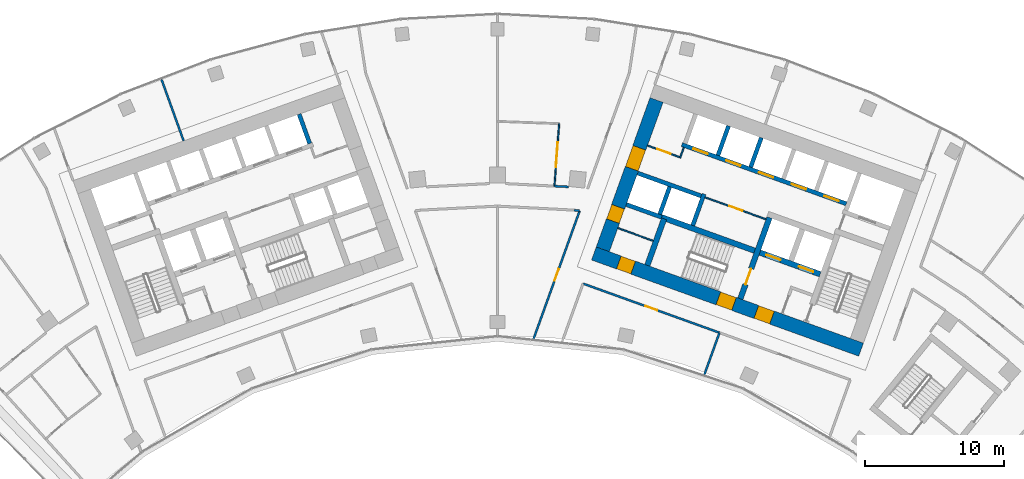
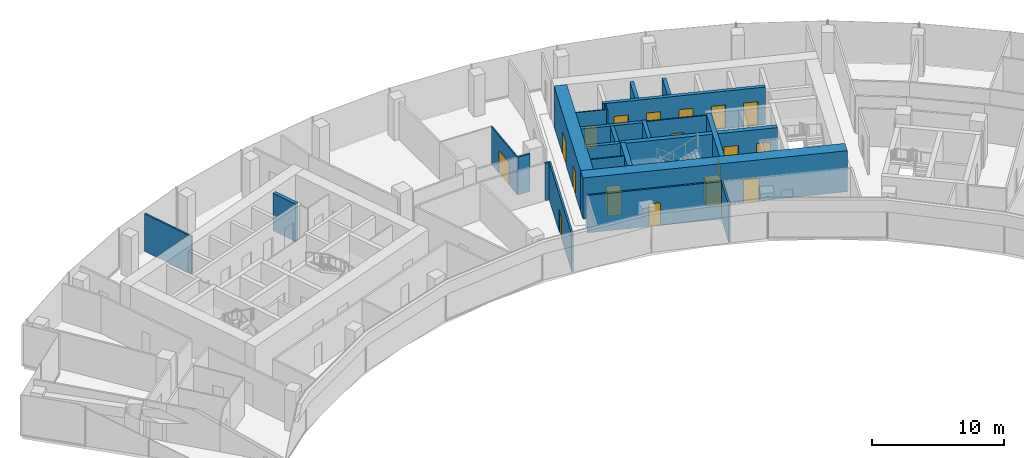
# One storey, part 14 of 18: 24 walls, 18 doors, 18 openings.
"""IFC4 building model written with IfcOpenShell, lengths in metres."""

from ifc_helpers import new_model, si_unit, direction, frame, frame_2d, origin, place, context, subcontext, project, spatial, rectangle, extrude, material, layer, layer_set, type_object, element, fill, save


model = new_model("IFC4")

# Units and contexts
model_context = context("Model", 3, precision=1e-05, world=origin(), true_north=direction((0.0, 1.0)))
body_context = subcontext(model_context, "Body", "Model", "MODEL_VIEW")
ifc_project = project(units=[si_unit("LENGTHUNIT", "METRE"), si_unit("AREAUNIT", "SQUARE_METRE"), si_unit("VOLUMEUNIT", "CUBIC_METRE"), si_unit("PLANEANGLEUNIT", "RADIAN"), si_unit("MASSUNIT", "GRAM", prefix="KILO")], contexts=[model_context])

# Site, building, storey
site_placement = place(None, origin())
site = spatial("IfcSite", under=ifc_project, at=site_placement, CompositionType="ELEMENT")
building_placement = place(site_placement, origin())
building = spatial("IfcBuilding", under=site, at=building_placement, Name="Stone Belt Terrace Tower", CompositionType="ELEMENT")
storey_placement = place(building_placement, frame((0.0, 0.0, 220.0)))
storey = spatial("IfcBuildingStorey", under=building, at=storey_placement, Name="L53", CompositionType="ELEMENT", Elevation=220.0)

# Wall, opening, door
ifc_material_1 = material(Name="Plasterboard partition")
ifc_layer_1 = layer(ifc_material_1, 0.10009765625)
ifc_layer_set_1 = layer_set([ifc_layer_1], Name="Core partition 100")
wall_type_1 = type_object("IfcWallType", Name="Core partition 100", PredefinedType="PARTITIONING", material=ifc_layer_set_1)
wall_1_placement = place(storey_placement, frame((19.29052734375, 51.829833984375, 0.0), z_axis=(0.0, 0.0, 1.0), x_axis=(-0.940930240745, 0.338600475563, 0.0)))
wall_1 = element("IfcWall", 1, at=wall_1_placement, inside=storey, type_object=wall_type_1, Name="Core B wall", PredefinedType="PARTITIONING", context=body_context, shape_type="SweptSolid", body=[
    extrude(rectangle(XDim=4.64990234375, YDim=0.10009765625, at=frame_2d((2.324951171875, 0.0))), origin(), (0.0, 0.0, 1.0), 3.47998046875),
])
opening_1_placement = place(wall_1_placement, frame((1.800048828125, 0.0, 0.0)))
opening_1 = element("IfcOpeningElement", 2, at=opening_1_placement, cuts=wall_1, Name="Opening L53-C13", PredefinedType="OPENING", context=body_context, shape_type="SweptSolid", body=[
    extrude(rectangle(XDim=1.0, YDim=2.10009765625, at=frame_2d((0.5, 1.050048828125))), frame((0.0, 0.06005859375, 0.0), z_axis=(0.0, -1.0, 0.0), x_axis=(1.0, 0.0, 0.0)), (0.0, 0.0, 1.0), 0.1201171875),
])
ifc_material_2 = material(Name="Timber door leaf", Category="wood")
door_type_1 = type_object("IfcDoorType", Name="Core room door 1000", OperationType="SINGLE_SWING_LEFT", PredefinedType="DOOR", material=ifc_material_2)
door_1_placement = place(opening_1_placement, origin())
door_1 = element("IfcDoor", 3, at=door_1_placement, inside=storey, type_object=door_type_1, Name="Door to Communications hub room core B", OperationType="SINGLE_SWING_RIGHT", OverallHeight=2.10009765625, OverallWidth=1.0, PredefinedType="DOOR", context=body_context, shape_type="SweptSolid", body=[
    extrude(rectangle(XDim=1.0, YDim=2.10009765625, at=frame_2d((0.5, 1.050048828125))), frame((0.0, 0.02490234375, 0.0), z_axis=(0.0, -1.0, 0.0), x_axis=(1.0, 0.0, 0.0)), (0.0, 0.0, 1.0), 0.050048828125),
])
fill(opening_1, door_1)

# Walls
wall_2_placement = place(storey_placement, frame((11.187744140625, 50.2822265625, 0.0), z_axis=(0.0, 0.0, 1.0), x_axis=(-0.940949642365, 0.338546555931, 0.0)))
element("IfcWall", 4, at=wall_2_placement, inside=storey, type_object=wall_type_1, Name="Core B wall", PredefinedType="PARTITIONING", context=body_context, shape_type="SweptSolid", body=[
    extrude(rectangle(XDim=2.699951171875, YDim=0.10009765625, at=frame_2d((1.35009765625, 0.0))), origin(), (0.0, 0.0, 1.0), 3.47998046875),
])
wall_3_placement = place(storey_placement, frame((13.115966796875, 56.230712890625, 0.0), z_axis=(0.0, 0.0, 1.0), x_axis=(0.338481684961, 0.940972979923, 0.0)))
element("IfcWall", 5, at=wall_3_placement, inside=storey, type_object=wall_type_1, Name="Core B wall", PredefinedType="PARTITIONING", context=body_context, shape_type="SweptSolid", body=[
    extrude(rectangle(XDim=0.7998046875, YDim=0.10009765625, at=frame_2d((0.39990234375, 0.0))), origin(), (0.0, 0.0, 1.0), 3.47998046875),
])

# Wall, opening, door
wall_4_placement = place(storey_placement, frame((13.085693359375, 56.294677734375, 0.0), z_axis=(0.0, 0.0, 1.0), x_axis=(-0.940922976849, 0.338620660383, 0.0)))
wall_4 = element("IfcWall", 6, at=wall_4_placement, inside=storey, type_object=wall_type_1, Name="Core B wall", PredefinedType="PARTITIONING", context=body_context, shape_type="SweptSolid", body=[
    extrude(rectangle(XDim=2.449951171875, YDim=0.10009765625, at=frame_2d((1.22509765625, 0.0))), origin(), (0.0, 0.0, 1.0), 3.47998046875),
])
opening_2_placement = place(wall_4_placement, frame((0.699951171875, 0.0, 0.0)))
opening_2 = element("IfcOpeningElement", 7, at=opening_2_placement, cuts=wall_4, Name="Opening L53-C12", PredefinedType="OPENING", context=body_context, shape_type="SweptSolid", body=[
    extrude(rectangle(XDim=1.0, YDim=2.10009765625, at=frame_2d((0.5, 1.050048828125))), frame((0.0, 0.06005859375, 0.0), z_axis=(0.0, -1.0, 0.0), x_axis=(1.0, 0.0, 0.0)), (0.0, 0.0, 1.0), 0.1201171875),
])
door_2_placement = place(opening_2_placement, origin())
door_2 = element("IfcDoor", 8, at=door_2_placement, inside=storey, type_object=door_type_1, Name="Door to Tenant storage room core B", OperationType="SINGLE_SWING_RIGHT", OverallHeight=2.10009765625, OverallWidth=1.0, PredefinedType="DOOR", context=body_context, shape_type="SweptSolid", body=[
    extrude(rectangle(XDim=1.0, YDim=2.10009765625, at=frame_2d((0.5, 1.050048828125))), frame((0.0, 0.02490234375, 0.0), z_axis=(0.0, -1.0, 0.0), x_axis=(1.0, 0.0, 0.0)), (0.0, 0.0, 1.0), 0.050048828125),
])
fill(opening_2, door_2)

# Wall, openings, doors
ifc_material_3 = material(Name="Concrete B60", Category="concrete")
ifc_layer_2 = layer(ifc_material_3, 1.0)
ifc_layer_set_2 = layer_set([ifc_layer_2], Name="Core wall 1000 B60")
wall_type_2 = type_object("IfcWallType", Name="Core wall 1000 B60", PredefinedType="SHEAR", material=ifc_layer_set_2)
wall_5_placement = place(storey_placement, frame((6.927490234375, 49.370849609375, 0.0), z_axis=(0.0, 0.0, 1.0), x_axis=(0.940921428504, -0.338624962727, 0.0)))
wall_5 = element("IfcWall", 9, at=wall_5_placement, inside=storey, type_object=wall_type_2, Name="Core B wall concave L53", PredefinedType="SHEAR", context=body_context, shape_type="SweptSolid", body=[
    extrude(rectangle(XDim=20.400146484375, YDim=1.0, at=frame_2d((10.2001953125, 0.0))), origin(), (0.0, 0.0, 1.0), 3.800048828125),
])
opening_3_placement = place(wall_5_placement, frame((12.39990234375, 0.0, 0.0)))
opening_3 = element("IfcOpeningElement", 10, at=opening_3_placement, cuts=wall_5, Name="Opening L53-C18", PredefinedType="OPENING", context=body_context, shape_type="SweptSolid", body=[
    extrude(rectangle(XDim=1.199951171875, YDim=2.10009765625, at=frame_2d((0.60009765625, 1.050048828125))), frame((0.0, 0.510009765625, 0.0), z_axis=(0.0, -1.0, 0.0), x_axis=(1.0, 0.0, 0.0)), (0.0, 0.0, 1.0), 1.02001953125),
])
opening_4_placement = place(wall_5_placement, frame((9.5, 0.0, 0.0)))
opening_4 = element("IfcOpeningElement", 11, at=opening_4_placement, cuts=wall_5, Name="Opening L53-C20", PredefinedType="OPENING", context=body_context, shape_type="SweptSolid", body=[
    extrude(rectangle(XDim=1.199951171875, YDim=2.10009765625, at=frame_2d((0.60009765625, 1.050048828125))), frame((0.0, 0.510009765625, 0.0), z_axis=(0.0, -1.0, 0.0), x_axis=(1.0, 0.0, 0.0)), (0.0, 0.0, 1.0), 1.02001953125),
])
opening_5_placement = place(wall_5_placement, frame((1.89990234375, 0.0, 0.0)))
opening_5 = element("IfcOpeningElement", 12, at=opening_5_placement, cuts=wall_5, Name="Opening L53-C22", PredefinedType="OPENING", context=body_context, shape_type="SweptSolid", body=[
    extrude(rectangle(XDim=1.10009765625, YDim=2.10009765625, at=frame_2d((0.550048828125, 1.050048828125))), frame((0.0, 0.510009765625, 0.0), z_axis=(0.0, -1.0, 0.0), x_axis=(1.0, 0.0, 0.0)), (0.0, 0.0, 1.0), 1.02001953125),
])
door_type_2 = type_object("IfcDoorType", Name="Core room door 1100", OperationType="SINGLE_SWING_LEFT", PredefinedType="DOOR", material=ifc_material_2)
door_3_placement = place(opening_5_placement, origin())
door_3 = element("IfcDoor", 13, at=door_3_placement, inside=storey, type_object=door_type_2, Name="Door to Cleaner's store core B", OperationType="SINGLE_SWING_RIGHT", OverallHeight=2.10009765625, OverallWidth=1.10009765625, PredefinedType="DOOR", context=body_context, shape_type="SweptSolid", body=[
    extrude(rectangle(XDim=1.10009765625, YDim=2.10009765625, at=frame_2d((0.550048828125, 1.050048828125))), frame((0.0, 0.47998046875, 0.0), z_axis=(0.0, -1.0, 0.0), x_axis=(1.0, 0.0, 0.0)), (0.0, 0.0, 1.0), 0.9599609375),
])
fill(opening_5, door_3)
ifc_material_4 = material(Name="Steel door leaf", Category="steel")
door_type_3 = type_object("IfcDoorType", Name="Fire-fighting lobby door 1200", OperationType="SINGLE_SWING_LEFT", PredefinedType="DOOR", material=ifc_material_4)
door_4_placement = place(opening_3_placement, origin())
door_4 = element("IfcDoor", 14, at=door_4_placement, inside=storey, type_object=door_type_3, Name="Fire-fighting lobby door core B", OperationType="SINGLE_SWING_RIGHT", OverallHeight=2.10009765625, OverallWidth=1.199951171875, PredefinedType="DOOR", context=body_context, shape_type="SweptSolid", body=[
    extrude(rectangle(XDim=1.199951171875, YDim=2.10009765625, at=frame_2d((0.60009765625, 1.050048828125))), frame((0.0, 0.47998046875, 0.0), z_axis=(0.0, -1.0, 0.0), x_axis=(1.0, 0.0, 0.0)), (0.0, 0.0, 1.0), 0.9599609375),
])
fill(opening_3, door_4)
door_type_4 = type_object("IfcDoorType", Name="Stair door 1200", OperationType="SINGLE_SWING_LEFT", PredefinedType="DOOR", material=ifc_material_4)
door_5_placement = place(opening_4_placement, origin())
door_5 = element("IfcDoor", 15, at=door_5_placement, inside=storey, type_object=door_type_4, Name="Stair 2 exit door core B", OperationType="SINGLE_SWING_LEFT", OverallHeight=2.10009765625, OverallWidth=1.199951171875, PredefinedType="DOOR", context=body_context, shape_type="SweptSolid", body=[
    extrude(rectangle(XDim=1.199951171875, YDim=2.10009765625, at=frame_2d((0.60009765625, 1.050048828125))), frame((0.0, 0.47998046875, 0.0), z_axis=(0.0, -1.0, 0.0), x_axis=(1.0, 0.0, 0.0)), (0.0, 0.0, 1.0), 0.9599609375),
])
fill(opening_4, door_5)

wall_6_placement = place(storey_placement, frame((7.567138671875, 49.672119140625, 0.0), z_axis=(0.0, 0.0, 1.0), x_axis=(0.338625431531, 0.940921259788, 0.0)))
wall_6 = element("IfcWall", 16, at=wall_6_placement, inside=storey, type_object=wall_type_2, Name="Core B wall end_a L53", PredefinedType="SHEAR", context=body_context, shape_type="SweptSolid", body=[
    extrude(rectangle(XDim=11.400146484375, YDim=1.0, at=frame_2d((5.7001953125, 0.0))), origin(), (0.0, 0.0, 1.0), 3.800048828125),
])
opening_6_placement = place(wall_6_placement, frame((6.14990234375, 0.0, 0.0)))
opening_6 = element("IfcOpeningElement", 17, at=opening_6_placement, cuts=wall_6, Name="Opening L53-C15", PredefinedType="OPENING", context=body_context, shape_type="SweptSolid", body=[
    extrude(rectangle(XDim=1.60009765625, YDim=2.10009765625, at=frame_2d((0.800048828125, 1.050048828125))), frame((0.0, 0.510009765625, 0.0), z_axis=(0.0, -1.0, 0.0), x_axis=(1.0, 0.0, 0.0)), (0.0, 0.0, 1.0), 1.02001953125),
])
opening_7_placement = place(wall_6_placement, frame((2.14990234375, 0.0, 0.0)))
opening_7 = element("IfcOpeningElement", 18, at=opening_7_placement, cuts=wall_6, Name="Opening L53-C21", PredefinedType="OPENING", context=body_context, shape_type="SweptSolid", body=[
    extrude(rectangle(XDim=1.10009765625, YDim=2.10009765625, at=frame_2d((0.550048828125, 1.050048828125))), frame((0.0, 0.510009765625, 0.0), z_axis=(0.0, -1.0, 0.0), x_axis=(1.0, 0.0, 0.0)), (0.0, 0.0, 1.0), 1.02001953125),
])
door_6_placement = place(opening_7_placement, origin())
door_6 = element("IfcDoor", 19, at=door_6_placement, inside=storey, type_object=door_type_2, Name="Door to Accessible WC core B", OperationType="SINGLE_SWING_LEFT", OverallHeight=2.10009765625, OverallWidth=1.10009765625, PredefinedType="DOOR", context=body_context, shape_type="SweptSolid", body=[
    extrude(rectangle(XDim=1.10009765625, YDim=2.10009765625, at=frame_2d((0.550048828125, 1.050048828125))), frame((0.0, 0.47998046875, 0.0), z_axis=(0.0, -1.0, 0.0), x_axis=(1.0, 0.0, 0.0)), (0.0, 0.0, 1.0), 0.9599609375),
])
fill(opening_7, door_6)
ifc_material_5 = material(Name="Glazed aluminium door leaf", Category="aluminium")
door_type_5 = type_object("IfcDoorType", Name="Lift lobby entrance door 1600", OperationType="DOUBLE_DOOR_SINGLE_SWING", PredefinedType="DOOR", material=ifc_material_5)
door_7_placement = place(opening_6_placement, origin())
door_7 = element("IfcDoor", 20, at=door_7_placement, inside=storey, type_object=door_type_5, Name="Lift lobby entrance door core B", OperationType="DOUBLE_DOOR_SINGLE_SWING", OverallHeight=2.10009765625, OverallWidth=1.60009765625, PredefinedType="DOOR", context=body_context, shape_type="SweptSolid", body=[
    extrude(rectangle(XDim=1.60009765625, YDim=2.10009765625, at=frame_2d((0.800048828125, 1.050048828125))), frame((0.0, 0.47998046875, 0.0), z_axis=(0.0, -1.0, 0.0), x_axis=(1.0, 0.0, 0.0)), (0.0, 0.0, 1.0), 0.9599609375),
])
fill(opening_6, door_7)

# Wall
ifc_material_6 = material(Name="Concrete B80", Category="concrete")
ifc_layer_3 = layer(ifc_material_6, 0.300048828125)
ifc_layer_set_3 = layer_set([ifc_layer_3], Name="Lift shaft wall 300")
wall_type_3 = type_object("IfcWallType", Name="Lift shaft wall 300", PredefinedType="SHEAR", material=ifc_layer_set_3)
wall_7_placement = place(storey_placement, frame((-13.48828125, 57.265625, 0.0), z_axis=(0.0, 0.0, 1.0), x_axis=(-0.338631098537, 0.940919220286, 0.0)))
element("IfcWall", 21, at=wall_7_placement, inside=storey, type_object=wall_type_3, Name="Core A wall", PredefinedType="SHEAR", context=body_context, shape_type="SweptSolid", body=[
    extrude(rectangle(XDim=2.250244140625, YDim=0.300048828125, at=frame_2d((1.125, 0.0))), origin(), (0.0, 0.0, 1.0), 3.47998046875),
])

# Wall, openings, doors
wall_8_placement = place(storey_placement, frame((25.05810546875, 52.9423828125, 0.0), z_axis=(0.0, 0.0, 1.0), x_axis=(-0.940921381676, 0.338625092847, 0.0)))
wall_8 = element("IfcWall", 22, at=wall_8_placement, inside=storey, type_object=wall_type_3, Name="Core B wall", PredefinedType="SHEAR", context=body_context, shape_type="SweptSolid", body=[
    extrude(rectangle(XDim=12.550048828125, YDim=0.300048828125, at=frame_2d((6.27490234375, 0.0))), origin(), (0.0, 0.0, 1.0), 3.47998046875),
])
opening_8_placement = place(wall_8_placement, frame((0.570068359375, 0.0, 0.0)))
opening_8 = element("IfcOpeningElement", 23, at=opening_8_placement, cuts=wall_8, Name="Opening L53-LD09", PredefinedType="OPENING", context=body_context, shape_type="SweptSolid", body=[
    extrude(rectangle(XDim=1.10009765625, YDim=2.199951171875, at=frame_2d((0.550048828125, 1.10009765625))), frame((0.0, 0.159912109375, 0.0), z_axis=(0.0, -1.0, 0.0), x_axis=(1.0, 0.0, 0.0)), (0.0, 0.0, 1.0), 0.320068359375),
])
opening_9_placement = place(wall_8_placement, frame((3.070068359375, 0.0, 0.0)))
opening_9 = element("IfcOpeningElement", 24, at=opening_9_placement, cuts=wall_8, Name="Opening L53-LD10", PredefinedType="OPENING", context=body_context, shape_type="SweptSolid", body=[
    extrude(rectangle(XDim=1.10009765625, YDim=2.199951171875, at=frame_2d((0.550048828125, 1.10009765625))), frame((0.0, 0.159912109375, 0.0), z_axis=(0.0, -1.0, 0.0), x_axis=(1.0, 0.0, 0.0)), (0.0, 0.0, 1.0), 0.320068359375),
])
opening_10_placement = place(wall_8_placement, frame((5.570068359375, 0.0, 0.0)))
opening_10 = element("IfcOpeningElement", 25, at=opening_10_placement, cuts=wall_8, Name="Opening L53-LD11", PredefinedType="OPENING", context=body_context, shape_type="SweptSolid", body=[
    extrude(rectangle(XDim=1.10009765625, YDim=2.199951171875, at=frame_2d((0.550048828125, 1.10009765625))), frame((0.0, 0.159912109375, 0.0), z_axis=(0.0, -1.0, 0.0), x_axis=(1.0, 0.0, 0.0)), (0.0, 0.0, 1.0), 0.320068359375),
])
opening_11_placement = place(wall_8_placement, frame((8.070068359375, 0.0, 0.0)))
opening_11 = element("IfcOpeningElement", 26, at=opening_11_placement, cuts=wall_8, Name="Opening L53-LD12", PredefinedType="OPENING", context=body_context, shape_type="SweptSolid", body=[
    extrude(rectangle(XDim=1.10009765625, YDim=2.199951171875, at=frame_2d((0.550048828125, 1.10009765625))), frame((0.0, 0.159912109375, 0.0), z_axis=(0.0, -1.0, 0.0), x_axis=(1.0, 0.0, 0.0)), (0.0, 0.0, 1.0), 0.320068359375),
])
opening_12_placement = place(wall_8_placement, frame((10.570068359375, 0.0, 0.0)))
opening_12 = element("IfcOpeningElement", 27, at=opening_12_placement, cuts=wall_8, Name="Opening L53-LD13", PredefinedType="OPENING", context=body_context, shape_type="SweptSolid", body=[
    extrude(rectangle(XDim=1.10009765625, YDim=2.199951171875, at=frame_2d((0.550048828125, 1.10009765625))), frame((0.0, 0.159912109375, 0.0), z_axis=(0.0, -1.0, 0.0), x_axis=(1.0, 0.0, 0.0)), (0.0, 0.0, 1.0), 0.320068359375),
])
ifc_material_7 = material(Name="Stainless steel door leaf", Category="steel")
door_type_6 = type_object("IfcDoorType", Name="Landing door 1100", OperationType="SLIDING_TO_LEFT", PredefinedType="DOOR", material=ifc_material_7)
door_8_placement = place(opening_8_placement, origin())
door_8 = element("IfcDoor", 28, at=door_8_placement, inside=storey, type_object=door_type_6, Name="Landing door MR1 core B", OperationType="SLIDING_TO_LEFT", OverallHeight=2.199951171875, OverallWidth=1.10009765625, PredefinedType="DOOR", context=body_context, shape_type="SweptSolid", body=[
    extrude(rectangle(XDim=1.10009765625, YDim=2.199951171875, at=frame_2d((0.550048828125, 1.10009765625))), frame((0.0, 0.02490234375, 0.0), z_axis=(0.0, -1.0, 0.0), x_axis=(1.0, 0.0, 0.0)), (0.0, 0.0, 1.0), 0.050048828125),
])
fill(opening_8, door_8)
door_9_placement = place(opening_9_placement, origin())
door_9 = element("IfcDoor", 29, at=door_9_placement, inside=storey, type_object=door_type_6, Name="Landing door MR2 core B", OperationType="SLIDING_TO_LEFT", OverallHeight=2.199951171875, OverallWidth=1.10009765625, PredefinedType="DOOR", context=body_context, shape_type="SweptSolid", body=[
    extrude(rectangle(XDim=1.10009765625, YDim=2.199951171875, at=frame_2d((0.550048828125, 1.10009765625))), frame((0.0, 0.02490234375, 0.0), z_axis=(0.0, -1.0, 0.0), x_axis=(1.0, 0.0, 0.0)), (0.0, 0.0, 1.0), 0.050048828125),
])
fill(opening_9, door_9)
door_10_placement = place(opening_10_placement, origin())
door_10 = element("IfcDoor", 30, at=door_10_placement, inside=storey, type_object=door_type_6, Name="Landing door MR3 core B", OperationType="SLIDING_TO_LEFT", OverallHeight=2.199951171875, OverallWidth=1.10009765625, PredefinedType="DOOR", context=body_context, shape_type="SweptSolid", body=[
    extrude(rectangle(XDim=1.10009765625, YDim=2.199951171875, at=frame_2d((0.550048828125, 1.10009765625))), frame((0.0, 0.02490234375, 0.0), z_axis=(0.0, -1.0, 0.0), x_axis=(1.0, 0.0, 0.0)), (0.0, 0.0, 1.0), 0.050048828125),
])
fill(opening_10, door_10)
door_11_placement = place(opening_11_placement, origin())
door_11 = element("IfcDoor", 31, at=door_11_placement, inside=storey, type_object=door_type_6, Name="Landing door MR4 core B", OperationType="SLIDING_TO_LEFT", OverallHeight=2.199951171875, OverallWidth=1.10009765625, PredefinedType="DOOR", context=body_context, shape_type="SweptSolid", body=[
    extrude(rectangle(XDim=1.10009765625, YDim=2.199951171875, at=frame_2d((0.550048828125, 1.10009765625))), frame((0.0, 0.02490234375, 0.0), z_axis=(0.0, -1.0, 0.0), x_axis=(1.0, 0.0, 0.0)), (0.0, 0.0, 1.0), 0.050048828125),
])
fill(opening_11, door_11)
door_12_placement = place(opening_12_placement, origin())
door_12 = element("IfcDoor", 32, at=door_12_placement, inside=storey, type_object=door_type_6, Name="Landing door MR5 core B", OperationType="SLIDING_TO_LEFT", OverallHeight=2.199951171875, OverallWidth=1.10009765625, PredefinedType="DOOR", context=body_context, shape_type="SweptSolid", body=[
    extrude(rectangle(XDim=1.10009765625, YDim=2.199951171875, at=frame_2d((0.550048828125, 1.10009765625))), frame((0.0, 0.02490234375, 0.0), z_axis=(0.0, -1.0, 0.0), x_axis=(1.0, 0.0, 0.0)), (0.0, 0.0, 1.0), 0.050048828125),
])
fill(opening_12, door_12)

# Walls
wall_9_placement = place(storey_placement, frame((18.193115234375, 55.572509765625, 0.0), z_axis=(0.0, 0.0, 1.0), x_axis=(0.338535034312, 0.940953787677, 0.0)))
element("IfcWall", 33, at=wall_9_placement, inside=storey, type_object=wall_type_3, Name="Core B wall", PredefinedType="SHEAR", context=body_context, shape_type="SweptSolid", body=[
    extrude(rectangle(XDim=2.25, YDim=0.300048828125, at=frame_2d((1.125, 0.0))), origin(), (0.0, 0.0, 1.0), 3.47998046875),
])
wall_10_placement = place(storey_placement, frame((14.029052734375, 51.38525390625, 0.0), z_axis=(0.0, 0.0, 1.0), x_axis=(0.338661829791, 0.940908159728, 0.0)))
element("IfcWall", 34, at=wall_10_placement, inside=storey, type_object=wall_type_3, Name="Core B wall", PredefinedType="SHEAR", context=body_context, shape_type="SweptSolid", body=[
    extrude(rectangle(XDim=2.39990234375, YDim=0.300048828125, at=frame_2d((1.199951171875, 0.0))), origin(), (0.0, 0.0, 1.0), 3.47998046875),
])
wall_11_placement = place(storey_placement, frame((14.6328125, 53.506103515625, 0.0), z_axis=(0.0, 0.0, 1.0), x_axis=(-0.940931684323, 0.338596464007, 0.0)))
element("IfcWall", 35, at=wall_11_placement, inside=storey, type_object=wall_type_3, Name="Core B wall", PredefinedType="SHEAR", context=body_context, shape_type="SweptSolid", body=[
    extrude(rectangle(XDim=4.849609375, YDim=0.300048828125, at=frame_2d((2.4248046875, 0.0))), origin(), (0.0, 0.0, 1.0), 3.47998046875),
])
wall_12_placement = place(storey_placement, frame((15.8408203125, 56.419189453125, 0.0), z_axis=(0.0, 0.0, 1.0), x_axis=(0.338569601369, 0.940941350472, 0.0)))
element("IfcWall", 36, at=wall_12_placement, inside=storey, type_object=wall_type_3, Name="Core B wall", PredefinedType="SHEAR", context=body_context, shape_type="SweptSolid", body=[
    extrude(rectangle(XDim=2.249755859375, YDim=0.300048828125, at=frame_2d((1.125, 0.0))), origin(), (0.0, 0.0, 1.0), 3.47998046875),
])
wall_13_placement = place(storey_placement, frame((11.797119140625, 51.975830078125, 0.0), z_axis=(0.0, 0.0, 1.0), x_axis=(-0.940910465161, 0.33865542451, 0.0)))
element("IfcWall", 37, at=wall_13_placement, inside=storey, type_object=wall_type_3, Name="Core B wall", PredefinedType="SHEAR", context=body_context, shape_type="SweptSolid", body=[
    extrude(rectangle(XDim=2.69970703125, YDim=0.300048828125, at=frame_2d((1.349853515625, 0.0))), origin(), (0.0, 0.0, 1.0), 3.47998046875),
])
wall_14_placement = place(storey_placement, frame((11.659912109375, 52.184814453125, 0.0), z_axis=(0.0, 0.0, 1.0), x_axis=(0.338670064856, 0.940905195634, 0.0)))
element("IfcWall", 38, at=wall_14_placement, inside=storey, type_object=wall_type_3, Name="Core B wall", PredefinedType="SHEAR", context=body_context, shape_type="SweptSolid", body=[
    extrude(rectangle(XDim=2.099853515625, YDim=0.300048828125, at=frame_2d((1.0498046875, 0.0))), origin(), (0.0, 0.0, 1.0), 3.47998046875),
])

# Wall, opening, door
ifc_material_8 = material(Name="Gypsum board partition")
ifc_layer_4 = layer(ifc_material_8, 0.10009765625)
ifc_layer_set_4 = layer_set([ifc_layer_4], Name="PARTITION 100")
wall_type_4 = type_object("IfcWallType", Name="PARTITION 100", PredefinedType="PARTITIONING", material=ifc_layer_set_4)
wall_15_placement = place(storey_placement, frame((4.093994140625, 54.2109375, 0.0), z_axis=(0.0, 0.0, 1.0), x_axis=(0.075090731836, 0.9971767055, 0.0)))
wall_15 = element("IfcWall", 39, at=wall_15_placement, inside=storey, type_object=wall_type_4, Name="L53/wall/i081", PredefinedType="PARTITIONING", context=body_context, shape_type="SweptSolid", body=[
    extrude(rectangle(XDim=4.499755859375, YDim=0.10009765625, at=frame_2d((2.25, 0.0))), origin(), (0.0, 0.0, 1.0), 3.47998046875),
])
opening_13_placement = place(wall_15_placement, frame((1.349853515625, 0.0, 0.0)))
opening_13 = element("IfcOpeningElement", 40, at=opening_13_placement, cuts=wall_15, Name="Opening D-D3-27", PredefinedType="OPENING", context=body_context, shape_type="SweptSolid", body=[
    extrude(rectangle(XDim=1.800048828125, YDim=2.10009765625, at=frame_2d((0.89990234375, 1.050048828125))), frame((0.0, 0.06005859375, 0.0), z_axis=(0.0, -1.0, 0.0), x_axis=(1.0, 0.0, 0.0)), (0.0, 0.0, 1.0), 0.1201171875),
])
door_type_7 = type_object("IfcDoorType", Name="DOUBLE DOOR 1800 X 2100", OperationType="DOUBLE_DOOR_SINGLE_SWING", PredefinedType="DOOR", material=ifc_material_2)
door_13_placement = place(opening_13_placement, origin())
door_13 = element("IfcDoor", 41, at=door_13_placement, inside=storey, type_object=door_type_7, Name="L53/door/i27", OperationType="DOUBLE_DOOR_SINGLE_SWING", OverallHeight=2.10009765625, OverallWidth=1.800048828125, PredefinedType="DOOR", context=body_context, shape_type="SweptSolid", body=[
    extrude(rectangle(XDim=1.800048828125, YDim=2.10009765625, at=frame_2d((0.89990234375, 1.050048828125))), frame((0.0, 0.02490234375, 0.0), z_axis=(0.0, -1.0, 0.0), x_axis=(1.0, 0.0, 0.0)), (0.0, 0.0, 1.0), 0.050048828125),
])
fill(opening_13, door_13)

# Wall
ifc_layer_5 = layer(ifc_material_8, 0.14990234375)
ifc_layer_set_5 = layer_set([ifc_layer_5], Name="PARTITION 150 EI 60")
wall_type_5 = type_object("IfcWallType", Name="PARTITION 150 EI 60", PredefinedType="PARTITIONING", material=ifc_layer_set_5)
wall_16_placement = place(storey_placement, frame((-24.1337890625, 61.869140625, 0.0), z_axis=(0.0, 0.0, 1.0), x_axis=(0.338599546383, -0.940930575116, 0.0)))
element("IfcWall", 42, at=wall_16_placement, inside=storey, type_object=wall_type_5, Name="L53/wall/i015", PredefinedType="PARTITIONING", context=body_context, shape_type="SweptSolid", body=[
    extrude(rectangle(XDim=4.68603515625, YDim=0.14990234375, at=frame_2d((2.343017578125, 0.0))), origin(), (0.0, 0.0, 1.0), 3.47998046875),
])

# Wall, opening, door
wall_17_placement = place(storey_placement, frame((2.590087890625, 43.227783203125, 0.0), z_axis=(0.0, 0.0, 1.0), x_axis=(0.33864618549, 0.940913790447, 0.0)))
wall_17 = element("IfcWall", 43, at=wall_17_placement, inside=storey, type_object=wall_type_5, Name="L53/wall/i018", PredefinedType="PARTITIONING", context=body_context, shape_type="SweptSolid", body=[
    extrude(rectangle(XDim=9.791748046875, YDim=0.14990234375, at=frame_2d((4.89599609375, 0.0))), origin(), (0.0, 0.0, 1.0), 3.47998046875),
])
opening_14_placement = place(wall_17_placement, frame((4.44580078125, 0.0, 0.0)))
opening_14 = element("IfcOpeningElement", 44, at=opening_14_placement, cuts=wall_17, Name="Opening D-D3-24", PredefinedType="OPENING", context=body_context, shape_type="SweptSolid", body=[
    extrude(rectangle(XDim=0.89990234375, YDim=2.10009765625, at=frame_2d((0.449951171875, 1.050048828125))), frame((0.0, 0.0849609375, 0.0), z_axis=(0.0, -1.0, 0.0), x_axis=(1.0, 0.0, 0.0)), (0.0, 0.0, 1.0), 0.169921875),
])
door_type_8 = type_object("IfcDoorType", Name="OFFICE DOOR 900 X 2100", OperationType="NOTDEFINED", PredefinedType="DOOR", material=ifc_material_2)
door_14_placement = place(opening_14_placement, origin())
door_14 = element("IfcDoor", 45, at=door_14_placement, inside=storey, type_object=door_type_8, Name="L53/door/i24", OperationType="SINGLE_SWING_RIGHT", OverallHeight=2.10009765625, OverallWidth=0.89990234375, PredefinedType="DOOR", context=body_context, shape_type="SweptSolid", body=[
    extrude(rectangle(XDim=0.89990234375, YDim=2.10009765625, at=frame_2d((0.449951171875, 1.050048828125))), frame((0.0, 0.02490234375, 0.0), z_axis=(0.0, -1.0, 0.0), x_axis=(1.0, 0.0, 0.0)), (0.0, 0.0, 1.0), 0.050048828125),
])
fill(opening_14, door_14)

wall_18_placement = place(storey_placement, frame((15.955078125, 43.677978515625, 0.0), z_axis=(0.0, 0.0, 1.0), x_axis=(-0.940922943648, 0.338620752637, 0.0)))
wall_18 = element("IfcWall", 46, at=wall_18_placement, inside=storey, type_object=wall_type_5, Name="L53/wall/i027", PredefinedType="PARTITIONING", context=body_context, shape_type="SweptSolid", body=[
    extrude(rectangle(XDim=10.421875, YDim=0.14990234375, at=frame_2d((5.2109375, 0.0))), origin(), (0.0, 0.0, 1.0), 3.47998046875),
])
opening_15_placement = place(wall_18_placement, frame((4.7607421875, 0.0, 0.0)))
opening_15 = element("IfcOpeningElement", 47, at=opening_15_placement, cuts=wall_18, Name="Opening D-D3-05", PredefinedType="OPENING", context=body_context, shape_type="SweptSolid", body=[
    extrude(rectangle(XDim=0.89990234375, YDim=2.10009765625, at=frame_2d((0.449951171875, 1.050048828125))), frame((0.0, 0.0849609375, 0.0), z_axis=(0.0, -1.0, 0.0), x_axis=(1.0, 0.0, 0.0)), (0.0, 0.0, 1.0), 0.169921875),
])
door_15_placement = place(opening_15_placement, origin())
door_15 = element("IfcDoor", 48, at=door_15_placement, inside=storey, type_object=door_type_8, Name="L53/door/i05", OperationType="SINGLE_SWING_RIGHT", OverallHeight=2.10009765625, OverallWidth=0.89990234375, PredefinedType="DOOR", context=body_context, shape_type="SweptSolid", body=[
    extrude(rectangle(XDim=0.89990234375, YDim=2.10009765625, at=frame_2d((0.449951171875, 1.050048828125))), frame((0.0, 0.02490234375, 0.0), z_axis=(0.0, -1.0, 0.0), x_axis=(1.0, 0.0, 0.0)), (0.0, 0.0, 1.0), 0.050048828125),
])
fill(opening_15, door_15)

# Walls
wall_19_placement = place(storey_placement, frame((15.948974609375, 43.679931640625, 0.0), z_axis=(0.0, 0.0, 1.0), x_axis=(-0.338792175686, -0.940861234027, 0.0)))
element("IfcWall", 49, at=wall_19_placement, inside=storey, type_object=wall_type_5, Name="L53/wall/i029", PredefinedType="PARTITIONING", context=body_context, shape_type="SweptSolid", body=[
    extrude(rectangle(XDim=3.21044921875, YDim=0.14990234375, at=frame_2d((1.605224609375, 0.0))), origin(), (0.0, 0.0, 1.0), 3.47998046875),
])
wall_20_placement = place(storey_placement, frame((5.904052734375, 52.43603515625, 0.0), z_axis=(0.0, 0.0, 1.0), x_axis=(-0.991780421826, 0.127951533338, 0.0)))
element("IfcWall", 50, at=wall_20_placement, inside=storey, type_object=wall_type_5, Name="L53/wall/i071", PredefinedType="PARTITIONING", context=body_context, shape_type="SweptSolid", body=[
    extrude(rectangle(XDim=0.39111328125, YDim=0.14990234375, at=frame_2d((0.195556640625, 0.0))), origin(), (0.0, 0.0, 1.0), 3.47998046875),
])
wall_21_placement = place(storey_placement, frame((4.087890625, 54.2109375, 0.0), z_axis=(0.0, 0.0, 1.0), x_axis=(0.998631584931, -0.052296821872, 0.0)))
element("IfcWall", 51, at=wall_21_placement, inside=storey, type_object=wall_type_5, Name="L53/wall/i074", PredefinedType="PARTITIONING", context=body_context, shape_type="SweptSolid", body=[
    extrude(rectangle(XDim=1.027099609375, YDim=0.14990234375, at=frame_2d((0.513671875, 0.0))), origin(), (0.0, 0.0, 1.0), 3.47998046875),
])

# Wall, openings, doors
ifc_layer_6 = layer(ifc_material_6, 0.39990234375)
ifc_layer_set_6 = layer_set([ifc_layer_6], Name="Stair enclosure wall 400")
wall_type_6 = type_object("IfcWallType", Name="Stair enclosure wall 400", PredefinedType="SHEAR", material=ifc_layer_set_6)
wall_22_placement = place(storey_placement, frame((23.182373046875, 47.87841796875, 0.0), z_axis=(0.0, 0.0, 1.0), x_axis=(-0.940921101762, 0.338625870628, 0.0)))
wall_22 = element("IfcWall", 52, at=wall_22_placement, inside=storey, type_object=wall_type_6, Name="Core B wall", PredefinedType="SHEAR", context=body_context, shape_type="SweptSolid", body=[
    extrude(rectangle(XDim=12.10009765625, YDim=0.39990234375, at=frame_2d((6.050048828125, 0.0))), origin(), (0.0, 0.0, 1.0), 3.47998046875),
])
opening_16_placement = place(wall_22_placement, frame((0.52001953125, 0.0, 0.0)))
opening_16 = element("IfcOpeningElement", 53, at=opening_16_placement, cuts=wall_22, Name="Opening L53-LD14", PredefinedType="OPENING", context=body_context, shape_type="SweptSolid", body=[
    extrude(rectangle(XDim=1.10009765625, YDim=2.199951171875, at=frame_2d((0.550048828125, 1.10009765625))), frame((0.0, 0.2099609375, 0.0), z_axis=(0.0, -1.0, 0.0), x_axis=(1.0, 0.0, 0.0)), (0.0, 0.0, 1.0), 0.419921875),
])
opening_17_placement = place(wall_22_placement, frame((3.02001953125, 0.0, 0.0)))
opening_17 = element("IfcOpeningElement", 54, at=opening_17_placement, cuts=wall_22, Name="Opening L53-LD15", PredefinedType="OPENING", context=body_context, shape_type="SweptSolid", body=[
    extrude(rectangle(XDim=1.10009765625, YDim=2.199951171875, at=frame_2d((0.550048828125, 1.10009765625))), frame((0.0, 0.2099609375, 0.0), z_axis=(0.0, -1.0, 0.0), x_axis=(1.0, 0.0, 0.0)), (0.0, 0.0, 1.0), 0.419921875),
])
door_16_placement = place(opening_16_placement, origin())
door_16 = element("IfcDoor", 55, at=door_16_placement, inside=storey, type_object=door_type_6, Name="Landing door FF1 core B", OperationType="SLIDING_TO_LEFT", OverallHeight=2.199951171875, OverallWidth=1.10009765625, PredefinedType="DOOR", context=body_context, shape_type="SweptSolid", body=[
    extrude(rectangle(XDim=1.10009765625, YDim=2.199951171875, at=frame_2d((0.550048828125, 1.10009765625))), frame((0.0, 0.02490234375, 0.0), z_axis=(0.0, -1.0, 0.0), x_axis=(1.0, 0.0, 0.0)), (0.0, 0.0, 1.0), 0.050048828125),
])
fill(opening_16, door_16)
door_17_placement = place(opening_17_placement, origin())
door_17 = element("IfcDoor", 56, at=door_17_placement, inside=storey, type_object=door_type_6, Name="Landing door FF2 core B", OperationType="SLIDING_TO_LEFT", OverallHeight=2.199951171875, OverallWidth=1.10009765625, PredefinedType="DOOR", context=body_context, shape_type="SweptSolid", body=[
    extrude(rectangle(XDim=1.10009765625, YDim=2.199951171875, at=frame_2d((0.550048828125, 1.10009765625))), frame((0.0, 0.02490234375, 0.0), z_axis=(0.0, -1.0, 0.0), x_axis=(1.0, 0.0, 0.0)), (0.0, 0.0, 1.0), 0.050048828125),
])
fill(opening_17, door_17)

# Wall, opening, door
wall_23_placement = place(storey_placement, frame((17.447021484375, 46.116455078125, 0.0), z_axis=(0.0, 0.0, 1.0), x_axis=(0.33860791464, 0.940927563707, 0.0)))
wall_23 = element("IfcWall", 57, at=wall_23_placement, inside=storey, type_object=wall_type_6, Name="Core B wall", PredefinedType="SHEAR", context=body_context, shape_type="SweptSolid", body=[
    extrude(rectangle(XDim=6.199951171875, YDim=0.39990234375, at=frame_2d((3.10009765625, 0.0))), origin(), (0.0, 0.0, 1.0), 3.47998046875),
])
opening_18_placement = place(wall_23_placement, frame((1.10009765625, 0.0, 0.0)))
opening_18 = element("IfcOpeningElement", 58, at=opening_18_placement, cuts=wall_23, Name="Opening L53-C19", PredefinedType="OPENING", context=body_context, shape_type="SweptSolid", body=[
    extrude(rectangle(XDim=1.199951171875, YDim=2.10009765625, at=frame_2d((0.60009765625, 1.050048828125))), frame((0.0, 0.2099609375, 0.0), z_axis=(0.0, -1.0, 0.0), x_axis=(1.0, 0.0, 0.0)), (0.0, 0.0, 1.0), 0.419921875),
])
door_18_placement = place(opening_18_placement, origin())
door_18 = element("IfcDoor", 59, at=door_18_placement, inside=storey, type_object=door_type_4, Name="Stair 2 door core B", OperationType="SINGLE_SWING_RIGHT", OverallHeight=2.10009765625, OverallWidth=1.199951171875, PredefinedType="DOOR", context=body_context, shape_type="SweptSolid", body=[
    extrude(rectangle(XDim=1.199951171875, YDim=2.10009765625, at=frame_2d((0.60009765625, 1.050048828125))), frame((0.0, 0.02490234375, 0.0), z_axis=(0.0, -1.0, 0.0), x_axis=(1.0, 0.0, 0.0)), (0.0, 0.0, 1.0), 0.050048828125),
])
fill(opening_18, door_18)

# Wall
wall_24_placement = place(storey_placement, frame((10.766357421875, 48.520751953125, 0.0), z_axis=(0.0, 0.0, 1.0), x_axis=(0.338626928157, 0.94092072117, 0.0)))
element("IfcWall", 60, at=wall_24_placement, inside=storey, type_object=wall_type_6, Name="Core B wall", PredefinedType="SHEAR", context=body_context, shape_type="SweptSolid", body=[
    extrude(rectangle(XDim=3.550048828125, YDim=0.39990234375, at=frame_2d((1.77490234375, 0.0))), origin(), (0.0, 0.0, 1.0), 3.47998046875),
])

save(model, "model.ifc")
